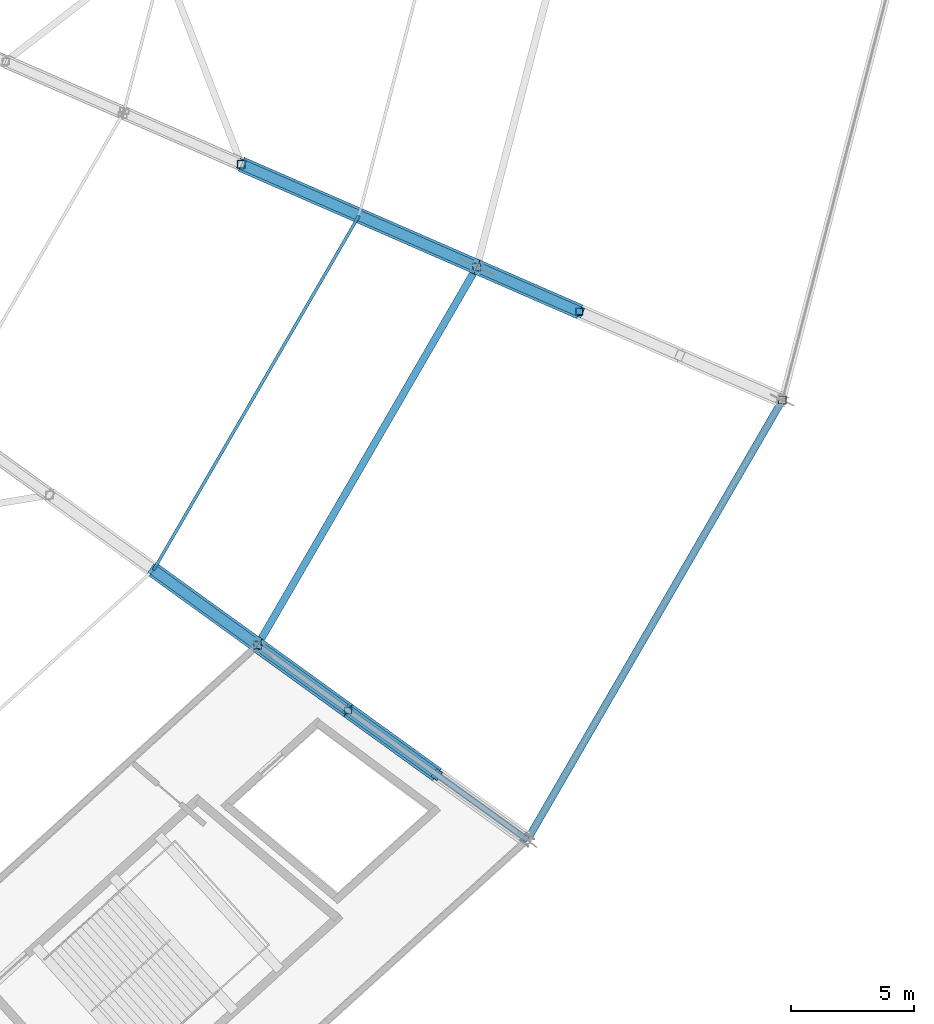
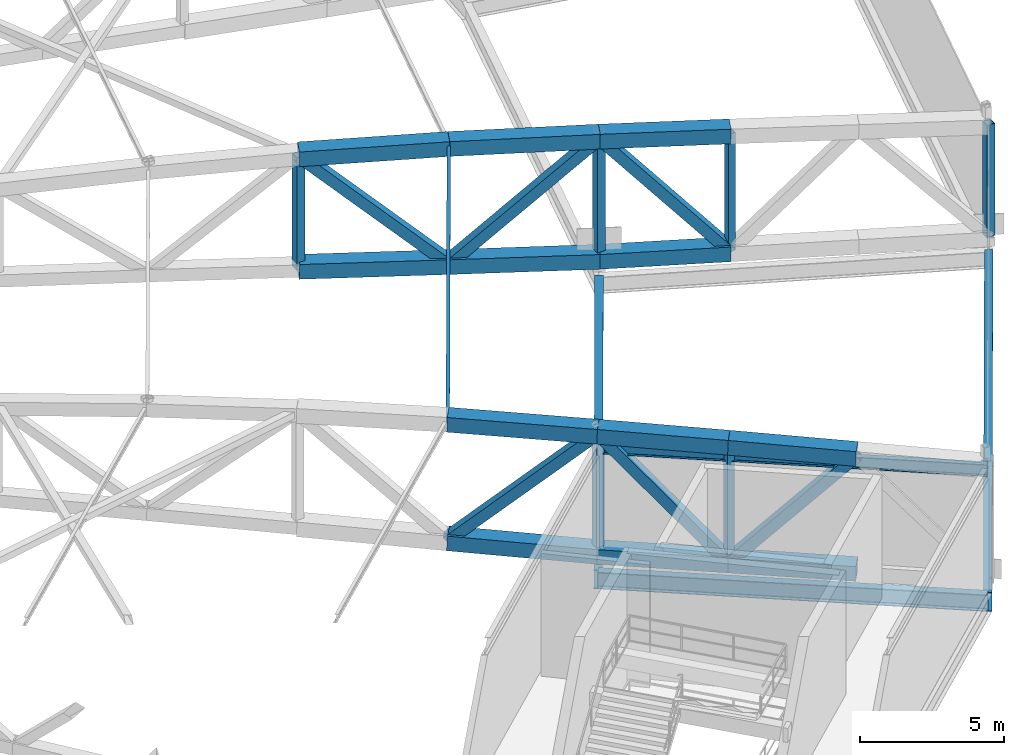
# One storey, part 53 of 162: 25 members, 4 beams.
"""IFC4 building model written with IfcOpenShell, lengths in metres."""

import ifcopenshell
import ifcopenshell.guid

model = None  # the IFC model being written
_history = None  # IfcOwnerHistory: only IFC2X3 demands one
_inside = {}  # id of a spatial element -> (the spatial element, [elements in it])
_under = {}  # id of a project, library or spatial element -> (it, [spatial elements below it])
_declared = {}  # id of a project -> (the project, [libraries it declares])
_typed = {}  # id of a type object -> (the type object, [elements of that type])
_made_of = {}  # id of a material, layer set ... -> (it, [elements and type objects made of it])


def new_model(schema):
    """Start an empty IFC model of exactly this schema.

    Asked for "IFC4X3", IfcOpenShell would pick the latest addendum, in which some entities
    have other attributes; the version numbers below select the first issue.
    IFC2X3 requires an IfcOwnerHistory on every rooted entity: one is made here for all.
    """
    global model, _history
    if schema == "IFC4X3":
        model = ifcopenshell.file(schema_version=(4, 3, 0, 0))
    else:
        model = ifcopenshell.file(schema=schema)
    _inside.clear()
    _under.clear()
    _declared.clear()
    _typed.clear()
    _made_of.clear()
    _history = None
    if model.schema == "IFC2X3":
        org = make("IfcOrganization", Name="unknown")
        user = make(
            "IfcPersonAndOrganization",
            ThePerson=make("IfcPerson", FamilyName="unknown"),
            TheOrganization=org,
        )
        app = make(
            "IfcApplication",
            ApplicationDeveloper=org,
            Version="unknown",
            ApplicationFullName="unknown",
            ApplicationIdentifier="unknown",
        )
        _history = make(
            "IfcOwnerHistory",
            OwningUser=user,
            OwningApplication=app,
            ChangeAction="ADDED",
            CreationDate=0,
        )
    return model


def make(cls, **values):
    """One entity of the class cls with the attributes given. An attribute that is None is left unset."""
    return model.create_entity(
        cls, **{name: value for name, value in values.items() if value is not None}
    )


def rooted(cls, **values):
    """An entity with a GlobalId (a new one), such as an element, a storey or a relation."""
    return make(cls, GlobalId=ifcopenshell.guid.new(), OwnerHistory=_history, **values)


def si_unit(unit_type, name, prefix=None):
    """IfcSIUnit, for example si_unit("LENGTHUNIT", "METRE", prefix="MILLI")."""
    return make("IfcSIUnit", UnitType=unit_type, Prefix=prefix, Name=name)


def assignment(units):
    """IfcUnitAssignment: the units of a project."""
    return None if units is None else make("IfcUnitAssignment", Units=units)


def point(xyz):
    """IfcCartesianPoint."""
    return None if xyz is None else make("IfcCartesianPoint", Coordinates=xyz)


def direction(xyz):
    """IfcDirection."""
    return None if xyz is None else make("IfcDirection", DirectionRatios=xyz)


def frame(location, z_axis=None, x_axis=None):
    """IfcAxis2Placement3D, a coordinate frame: its origin and axes. An axis left out is left unset."""
    return make(
        "IfcAxis2Placement3D",
        Location=point(location),
        Axis=direction(z_axis),
        RefDirection=direction(x_axis),
    )


def frame_2d(location, x_axis=None):
    """IfcAxis2Placement2D, a coordinate frame in the plane: its origin and x axis."""
    return make(
        "IfcAxis2Placement2D", Location=point(location), RefDirection=direction(x_axis)
    )


def origin():
    """The frame at (0, 0, 0) with its axes left unset."""
    return frame((0.0, 0.0, 0.0))


def origin_2d():
    """The frame at (0, 0) in the plane with its x axis left unset."""
    return frame_2d((0.0, 0.0))


def place(relative_to, where):
    """IfcLocalPlacement: puts the frame where relative to a parent placement (None: the world)."""
    return make(
        "IfcLocalPlacement", PlacementRelTo=relative_to, RelativePlacement=where
    )


def context(
    kind, dimensions, precision=None, world=None, true_north=None, identifier=None
):
    """IfcGeometricRepresentationContext, for example the 3D "Model" context."""
    return make(
        "IfcGeometricRepresentationContext",
        ContextIdentifier=identifier,
        ContextType=kind,
        CoordinateSpaceDimension=dimensions,
        Precision=precision,
        WorldCoordinateSystem=world,
        TrueNorth=true_north,
    )


def subcontext(parent, identifier, kind, view, scale=None):
    """IfcGeometricRepresentationSubContext, for example "Body" below "Model"."""
    return make(
        "IfcGeometricRepresentationSubContext",
        ContextIdentifier=identifier,
        ContextType=kind,
        ParentContext=parent,
        TargetScale=scale,
        TargetView=view,
    )


def project(units=None, contexts=None):
    """IfcProject with its units and contexts."""
    return rooted(
        "IfcProject",
        Name="project",
        RepresentationContexts=contexts,
        UnitsInContext=assignment(units),
    )


def spatial(cls, under=None, at=None, **own):
    """A site, building, storey or space (cls), placed at a placement, below another one or the project."""
    s = rooted(cls, ObjectPlacement=at, **own)
    if under is not None:
        _under.setdefault(under.id(), (under, []))[1].append(s)
    return s


def profile(cls, at=None, kind="AREA", **sizes):
    """A parametric profile (cls). Its sizes go by their IFC names, for example OverallWidth=200.0."""
    return make(cls, ProfileType=kind, Position=at, **sizes)


def hollow_rectangle(**sizes):
    """IfcRectangleHollowProfileDef."""
    return profile("IfcRectangleHollowProfileDef", **sizes)


def i_section(**sizes):
    """IfcIShapeProfileDef."""
    return profile("IfcIShapeProfileDef", **sizes)


def extrude(swept, where, along, depth):
    """IfcExtrudedAreaSolid: the profile swept, set in the frame where, extruded along a direction by depth."""
    return make(
        "IfcExtrudedAreaSolid",
        SweptArea=swept,
        Position=where,
        ExtrudedDirection=direction(along),
        Depth=depth,
    )


def shape(context_of_items, identifier, shape_type, items):
    """IfcShapeRepresentation: the items that make up one representation, for example the "Body"."""
    return make(
        "IfcShapeRepresentation",
        ContextOfItems=context_of_items,
        RepresentationIdentifier=identifier,
        RepresentationType=shape_type,
        Items=items,
    )


def material(Name=None, Category=None):
    """IfcMaterial."""
    return make("IfcMaterial", Name=Name, Category=Category)


def material_profile(
    of_material, cross_section, Name=None, Category=None, Priority=None
):
    """IfcMaterialProfile: a cross section and its material."""
    return make(
        "IfcMaterialProfile",
        Name=Name,
        Material=of_material,
        Profile=cross_section,
        Priority=Priority,
        Category=Category,
    )


def profile_set(profiles, Name=None, composite=None):
    """IfcMaterialProfileSet."""
    return make(
        "IfcMaterialProfileSet",
        Name=Name,
        MaterialProfiles=profiles,
        CompositeProfile=composite,
    )


def made_of(thing, what):
    """Note that an element or type object is made of a material, layer set ...; save() writes the relation."""
    if what is not None:
        _made_of.setdefault(what.id(), (what, []))[1].append(thing)
    return thing


def type_object(cls, material=None, **own):
    """A type object (cls), such as IfcWallType, which elements share."""
    return made_of(rooted(cls, **own), material)


def element(
    cls,
    number,
    at=None,
    inside=None,
    cuts=None,
    type_object=None,
    material=None,
    context=None,
    identifier="Body",
    shape_type=None,
    held_by="IfcProductDefinitionShape",
    body=None,
    shapes=None,
    **own,
):
    """One element of the class cls, such as IfcWall. Its Tag is "e" and its number.

    at: its placement. inside: the storey or other place that contains it. cuts: it is an
    opening in that element (IfcRelVoidsElement). A single representation is given by context,
    identifier, shape_type and body (its items); several are given by shapes. held_by: the class
    of the entity that holds the representations. save() writes the other relations.
    """
    e = rooted(cls, Tag="e%d" % number, ObjectPlacement=at, **own)
    if body is not None:
        shapes = [shape(context, identifier, shape_type, body)]
    if shapes is not None:
        e.Representation = make(held_by, Representations=shapes)
    if inside is not None:
        _inside.setdefault(inside.id(), (inside, []))[1].append(e)
    if cuts is not None:
        rooted(
            "IfcRelVoidsElement", RelatingBuildingElement=cuts, RelatedOpeningElement=e
        )
    if type_object is not None:
        _typed.setdefault(type_object.id(), (type_object, []))[1].append(e)
    return made_of(e, material)


def aggregate(whole, parts):
    """IfcRelAggregates: a whole, such as a stair, and the parts it consists of."""
    return rooted("IfcRelAggregates", RelatingObject=whole, RelatedObjects=parts)


def save(model, path):
    """Write the relations noted so far, then the file.

    IfcRelAggregates (storeys below a building ...), IfcRelContainedInSpatialStructure (elements
    in a storey), IfcRelDefinesByType, IfcRelAssociatesMaterial and IfcRelDeclares: one each for
    every whole, place, type object, material and project.
    """
    for whole, parts in _under.values():
        aggregate(whole, parts)
    for where, things in _inside.values():
        rooted(
            "IfcRelContainedInSpatialStructure",
            RelatedElements=things,
            RelatingStructure=where,
        )
    for kind, things in _typed.values():
        rooted("IfcRelDefinesByType", RelatedObjects=things, RelatingType=kind)
    for what, things in _made_of.values():
        rooted("IfcRelAssociatesMaterial", RelatedObjects=things, RelatingMaterial=what)
    for by, libraries in _declared.values():
        rooted("IfcRelDeclares", RelatingContext=by, RelatedDefinitions=libraries)
    model.write(path)


model = new_model("IFC4")

# Units and contexts
model_context = context("Model", 3, precision=1e-05, world=origin(), true_north=direction((0.0, 1.0)))
body_context = subcontext(model_context, "Body", "Model", "MODEL_VIEW")
ifc_project = project(units=[si_unit("LENGTHUNIT", "METRE"), si_unit("AREAUNIT", "SQUARE_METRE"), si_unit("VOLUMEUNIT", "CUBIC_METRE"), si_unit("PLANEANGLEUNIT", "RADIAN"), si_unit("MASSUNIT", "GRAM", prefix="KILO")], contexts=[model_context])

# Site, building, storey
site_placement = place(None, origin())
site = spatial("IfcSite", under=ifc_project, at=site_placement, CompositionType="ELEMENT")
building_placement = place(site_placement, origin())
building = spatial("IfcBuilding", under=site, at=building_placement, Name="Kazemori Nagisa Stadium", CompositionType="ELEMENT")
storey_placement = place(building_placement, frame((0.0, 0.0, 36.719970703125)))
storey = spatial("IfcBuildingStorey", under=building, at=storey_placement, Name="RF", CompositionType="ELEMENT", Elevation=36.719970703125)

# Beams
ifc_material_1 = material(Name="Steel SN490B", Category="steel")
ifc_material_profile_1 = material_profile(ifc_material_1, i_section(OverallWidth=0.199951171875, OverallDepth=0.5, WebThickness=0.010009765625, FlangeThickness=0.01611328125, FilletRadius=0.012939453125, at=origin_2d()), Name="H-500x200x10x16")
ifc_profile_set_1 = profile_set([ifc_material_profile_1], Name="Steel SN490B")
beam_type_1 = type_object("IfcBeamType", Name="Beam_BG-H500", PredefinedType="BEAM", material=ifc_profile_set_1)
beam_1_placement = place(storey_placement, frame((190.506103515625, 53.265869140625, 4.93994140625), z_axis=(0.810787509935, -0.585340596349, 0.0), x_axis=(0.585340596349, 0.810787509935, 0.0)))
element("IfcBeam", 1, at=beam_1_placement, inside=storey, type_object=beam_type_1, Name="Headhouse roof beam BG-H500 B25-radR", PredefinedType="BEAM", context=body_context, shape_type="SweptSolid", body=[
    extrude(i_section(OverallWidth=0.199951171875, OverallDepth=0.5, WebThickness=0.010009765625, FlangeThickness=0.01611328125, FilletRadius=0.012939453125, at=origin_2d()), origin(), (0.0, 0.0, 1.0), 13.5537109375),
])
ifc_material_profile_2 = material_profile(ifc_material_1, i_section(OverallWidth=0.300048828125, OverallDepth=0.699951171875, WebThickness=0.012939453125, FlangeThickness=0.02392578125, FilletRadius=0.01806640625, at=origin_2d()), Name="H-700x300x13x24")
ifc_profile_set_2 = profile_set([ifc_material_profile_2], Name="Steel SN490B")
beam_type_2 = type_object("IfcBeamType", Name="Beam_BG-H700", PredefinedType="BEAM", material=ifc_profile_set_2)
beam_2_placement = place(storey_placement, frame((190.506103515625, 53.265869140625, -0.6298828125), z_axis=(0.810787509935, -0.585340596349, 0.0), x_axis=(0.585340596349, 0.810787509935, 0.0)))
element("IfcBeam", 2, at=beam_2_placement, inside=storey, type_object=beam_type_2, Name="Radial girder BG-H700 RF R2-R3-26", PredefinedType="BEAM", context=body_context, shape_type="SweptSolid", body=[
    extrude(i_section(OverallWidth=0.300048828125, OverallDepth=0.699951171875, WebThickness=0.012939453125, FlangeThickness=0.02392578125, FilletRadius=0.01806640625, at=origin_2d()), origin(), (0.0, 0.0, 1.0), 13.5537109375),
])
ifc_material_profile_3 = material_profile(ifc_material_1, i_section(OverallWidth=0.300048828125, OverallDepth=0.800048828125, WebThickness=0.013916015625, FlangeThickness=0.02587890625, FilletRadius=0.01806640625, at=origin_2d()), Name="H-800x300x14x26")
ifc_profile_set_3 = profile_set([ifc_material_profile_3], Name="Steel SN490B")
beam_type_3 = type_object("IfcBeamType", Name="Beam_BG-H800", PredefinedType="BEAM", material=ifc_profile_set_3)
beam_3_placement = place(storey_placement, frame((190.506103515625, 53.265869140625, -0.679931640625), z_axis=(0.501606704589, 0.865095783085, 0.0), x_axis=(-0.865095783085, 0.501606704589, 0.0)))
element("IfcBeam", 3, at=beam_3_placement, inside=storey, type_object=beam_type_3, Name="Ring girder BG-H800 RF R2-26", PredefinedType="BEAM", context=body_context, shape_type="SweptSolid", body=[
    extrude(i_section(OverallWidth=0.300048828125, OverallDepth=0.800048828125, WebThickness=0.013916015625, FlangeThickness=0.02587890625, FilletRadius=0.01806640625, at=origin_2d()), origin(), (0.0, 0.0, 1.0), 17.8125),
])
beam_4_placement = place(storey_placement, frame((201.495361328125, 45.332275390625, -0.679931640625), z_axis=(0.50161277459, 0.8650922635, 0.0), x_axis=(-0.8650922635, 0.50161277459, 0.0)))
element("IfcBeam", 4, at=beam_4_placement, inside=storey, type_object=beam_type_3, Name="Roof compression ring beam BG-H800 R3-26", PredefinedType="BEAM", context=body_context, shape_type="SweptSolid", body=[
    extrude(i_section(OverallWidth=0.300048828125, OverallDepth=0.800048828125, WebThickness=0.013916015625, FlangeThickness=0.02587890625, FilletRadius=0.01806640625, at=origin_2d()), origin(), (0.0, 0.0, 1.0), 20.71240234375),
])

# Members
ifc_material_2 = material(Name="Steel STKR490", Category="steel")
ifc_material_profile_4 = material_profile(ifc_material_2, hollow_rectangle(XDim=0.419921875, YDim=0.419921875, WallThickness=0.01611328125, at=origin_2d()), Name="SHS-420x420x16")
ifc_profile_set_4 = profile_set([ifc_material_profile_4], Name="Steel STKR490")
member_type_1 = type_object("IfcMemberType", Name="Member_TB-SHS420", PredefinedType="BRACE", material=ifc_profile_set_4)
member_1_placement = place(storey_placement, frame((197.80615234375, 47.995849609375, 5.260009765625), z_axis=(-0.550225469155, 0.397211449234, -0.734489617142), x_axis=(-0.585322409097, -0.810800639744, 0.0)))
element("IfcMember", 5, at=member_1_placement, inside=storey, type_object=member_type_1, Name="Roof space truss diagonal RT-26-2", PredefinedType="BRACE", context=body_context, shape_type="SweptSolid", body=[
    extrude(hollow_rectangle(XDim=0.419921875, YDim=0.419921875, WallThickness=0.01611328125, at=origin_2d()), origin(), (0.0, 0.0, 1.0), 6.5625),
])
member_2_placement = place(storey_placement, frame((194.1953125, 50.6025390625, 0.43994140625), z_axis=(-0.538589651262, 0.388821024791, 0.747488727831), x_axis=(-0.585331860569, -0.810793816579, 0.0)))
element("IfcMember", 6, at=member_2_placement, inside=storey, type_object=member_type_1, Name="Roof space truss diagonal RT-26-3", PredefinedType="BRACE", context=body_context, shape_type="SweptSolid", body=[
    extrude(hollow_rectangle(XDim=0.419921875, YDim=0.419921875, WallThickness=0.01611328125, at=origin_2d()), origin(), (0.0, 0.0, 1.0), 6.849853515625),
])
member_3_placement = place(storey_placement, frame((190.506103515625, 53.265869140625, 5.56005859375), z_axis=(-0.592818527413, 0.427968403559, -0.682209087531), x_axis=(-0.585330267791, -0.810794966442, 0.0)))
element("IfcMember", 7, at=member_3_placement, inside=storey, type_object=member_type_1, Name="Roof space truss diagonal RT-26-4", PredefinedType="BRACE", context=body_context, shape_type="SweptSolid", body=[
    extrude(hollow_rectangle(XDim=0.419921875, YDim=0.419921875, WallThickness=0.01611328125, at=origin_2d()), origin(), (0.0, 0.0, 1.0), 7.150146484375),
])
member_4_placement = place(storey_placement, frame((203.61865234375, 66.854248046875, 0.43994140625), z_axis=(-0.609480709144, 0.265668338564, 0.746962916794), x_axis=(-0.39958195767, -0.916697474145, 0.0)))
element("IfcMember", 8, at=member_4_placement, inside=storey, type_object=member_type_1, Name="Roof space truss diagonal RT-27-3", PredefinedType="BRACE", context=body_context, shape_type="SweptSolid", body=[
    extrude(hollow_rectangle(XDim=0.419921875, YDim=0.419921875, WallThickness=0.01611328125, at=origin_2d()), origin(), (0.0, 0.0, 1.0), 6.8544921875),
])
member_5_placement = place(storey_placement, frame((199.44091796875, 68.67529296875, 5.56005859375), z_axis=(-0.669922767275, 0.292075285534, -0.682565391348), x_axis=(-0.399651729643, -0.916667057875, 0.0)))
element("IfcMember", 9, at=member_5_placement, inside=storey, type_object=member_type_1, Name="Roof space truss diagonal RT-27-4", PredefinedType="BRACE", context=body_context, shape_type="SweptSolid", body=[
    extrude(hollow_rectangle(XDim=0.419921875, YDim=0.419921875, WallThickness=0.01611328125, at=origin_2d()), origin(), (0.0, 0.0, 1.0), 7.164306640625),
])
member_6_placement = place(storey_placement, frame((194.641357421875, 70.767822265625, 0.669921875), z_axis=(-0.665234553158, 0.290016549091, 0.688006824485), x_axis=(-0.399634648115, -0.916674504951, 0.0)))
element("IfcMember", 10, at=member_6_placement, inside=storey, type_object=member_type_1, Name="Roof space truss diagonal RT-27-5", PredefinedType="BRACE", context=body_context, shape_type="SweptSolid", body=[
    extrude(hollow_rectangle(XDim=0.419921875, YDim=0.419921875, WallThickness=0.01611328125, at=origin_2d()), origin(), (0.0, 0.0, 1.0), 7.215087890625),
])
ifc_material_profile_5 = material_profile(ifc_material_2, hollow_rectangle(XDim=0.6201171875, YDim=0.6201171875, WallThickness=0.02197265625, at=origin_2d()), Name="SHS-620x620x22")
ifc_profile_set_5 = profile_set([ifc_material_profile_5], Name="Steel STKR490")
member_type_2 = type_object("IfcMemberType", Name="Member_TC-SHS620", PredefinedType="CHORD", material=ifc_profile_set_5)
member_7_placement = place(storey_placement, frame((197.80615234375, 47.995849609375, 5.260009765625), z_axis=(-0.810278437443, 0.584945427761, 0.035884542023), x_axis=(-0.585322409097, -0.810800639744, 0.0)))
element("IfcMember", 11, at=member_7_placement, inside=storey, type_object=member_type_2, Name="Roof space truss top chord RT-26-2", PredefinedType="CHORD", context=body_context, shape_type="SweptSolid", body=[
    extrude(hollow_rectangle(XDim=0.6201171875, YDim=0.6201171875, WallThickness=0.02197265625, at=origin_2d()), origin(), (0.0, 0.0, 1.0), 4.456298828125),
])
member_8_placement = place(storey_placement, frame((197.80615234375, 47.995849609375, 0.400146484375), z_axis=(-0.810768271055, 0.585299041924, 0.008935444772), x_axis=(-0.585322409097, -0.810800639744, 0.0)))
element("IfcMember", 12, at=member_8_placement, inside=storey, type_object=member_type_2, Name="Roof space truss bottom chord RT-26-2", PredefinedType="CHORD", context=body_context, shape_type="SweptSolid", body=[
    extrude(hollow_rectangle(XDim=0.6201171875, YDim=0.6201171875, WallThickness=0.02197265625, at=origin_2d()), origin(), (0.0, 0.0, 1.0), 4.45361328125),
])
member_9_placement = place(storey_placement, frame((194.1953125, 50.6025390625, 5.419921875), z_axis=(-0.810409552459, 0.585054450915, 0.030783871558), x_axis=(-0.585331860569, -0.810793816579, 0.0)))
element("IfcMember", 13, at=member_9_placement, inside=storey, type_object=member_type_2, Name="Roof space truss top chord RT-26-3", PredefinedType="CHORD", context=body_context, shape_type="SweptSolid", body=[
    extrude(hollow_rectangle(XDim=0.6201171875, YDim=0.6201171875, WallThickness=0.02197265625, at=origin_2d()), origin(), (0.0, 0.0, 1.0), 4.55224609375),
])
member_10_placement = place(storey_placement, frame((194.1953125, 50.6025390625, 0.43994140625), z_axis=(-0.810762427588, 0.58530920009, 0.008799221635), x_axis=(-0.585331860569, -0.810793816579, 0.0)))
element("IfcMember", 14, at=member_10_placement, inside=storey, type_object=member_type_2, Name="Roof space truss bottom chord RT-26-3", PredefinedType="CHORD", context=body_context, shape_type="SweptSolid", body=[
    extrude(hollow_rectangle(XDim=0.6201171875, YDim=0.6201171875, WallThickness=0.02197265625, at=origin_2d()), origin(), (0.0, 0.0, 1.0), 4.55029296875),
])
member_11_placement = place(storey_placement, frame((190.506103515625, 53.265869140625, 5.56005859375), z_axis=(-0.810524734469, 0.585135181537, 0.025816160475), x_axis=(-0.585330267791, -0.810794966442, 0.0)))
element("IfcMember", 15, at=member_11_placement, inside=storey, type_object=member_type_2, Name="Roof space truss top chord RT-26-4", PredefinedType="CHORD", context=body_context, shape_type="SweptSolid", body=[
    extrude(hollow_rectangle(XDim=0.6201171875, YDim=0.6201171875, WallThickness=0.02197265625, at=origin_2d()), origin(), (0.0, 0.0, 1.0), 5.229736328125),
])
member_12_placement = place(storey_placement, frame((190.506103515625, 53.265869140625, 0.47998046875), z_axis=(-0.81018951734, 0.584893181105, 0.038638228335), x_axis=(-0.585330267791, -0.810794966442, 0.0)))
element("IfcMember", 16, at=member_12_placement, inside=storey, type_object=member_type_2, Name="Roof space truss bottom chord RT-26-4", PredefinedType="CHORD", context=body_context, shape_type="SweptSolid", body=[
    extrude(hollow_rectangle(XDim=0.6201171875, YDim=0.6201171875, WallThickness=0.02197265625, at=origin_2d()), origin(), (0.0, 0.0, 1.0), 5.23193359375),
])
member_13_placement = place(storey_placement, frame((203.61865234375, 66.854248046875, 5.419921875), z_axis=(-0.916264399752, 0.399393183599, 0.030734909155), x_axis=(-0.39958195767, -0.916697474145, 0.0)))
element("IfcMember", 17, at=member_13_placement, inside=storey, type_object=member_type_2, Name="Roof space truss top chord RT-27-3", PredefinedType="CHORD", context=body_context, shape_type="SweptSolid", body=[
    extrude(hollow_rectangle(XDim=0.6201171875, YDim=0.6201171875, WallThickness=0.02197265625, at=origin_2d()), origin(), (0.0, 0.0, 1.0), 4.5595703125),
])
member_14_placement = place(storey_placement, frame((203.61865234375, 66.854248046875, 0.43994140625), z_axis=(-0.916662098113, 0.399566537507, 0.008785214124), x_axis=(-0.39958195767, -0.916697474145, 0.0)))
element("IfcMember", 18, at=member_14_placement, inside=storey, type_object=member_type_2, Name="Roof space truss bottom chord RT-27-3", PredefinedType="CHORD", context=body_context, shape_type="SweptSolid", body=[
    extrude(hollow_rectangle(XDim=0.6201171875, YDim=0.6201171875, WallThickness=0.02197265625, at=origin_2d()), origin(), (0.0, 0.0, 1.0), 4.5576171875),
])
member_15_placement = place(storey_placement, frame((199.44091796875, 68.67529296875, 5.56005859375), z_axis=(-0.916500406001, 0.399579072172, 0.019067534771), x_axis=(-0.399651729643, -0.916667057875, 0.0)))
element("IfcMember", 19, at=member_15_placement, inside=storey, type_object=member_type_2, Name="Roof space truss top chord RT-27-4", PredefinedType="CHORD", context=body_context, shape_type="SweptSolid", body=[
    extrude(hollow_rectangle(XDim=0.6201171875, YDim=0.6201171875, WallThickness=0.02197265625, at=origin_2d()), origin(), (0.0, 0.0, 1.0), 5.23681640625),
])
member_16_placement = place(storey_placement, frame((199.44091796875, 68.67529296875, 0.47998046875), z_axis=(-0.916064480485, 0.399389015832, 0.036253022321), x_axis=(-0.399651729643, -0.916667057875, 0.0)))
element("IfcMember", 20, at=member_16_placement, inside=storey, type_object=member_type_2, Name="Roof space truss bottom chord RT-27-4", PredefinedType="CHORD", context=body_context, shape_type="SweptSolid", body=[
    extrude(hollow_rectangle(XDim=0.6201171875, YDim=0.6201171875, WallThickness=0.02197265625, at=origin_2d()), origin(), (0.0, 0.0, 1.0), 5.2392578125),
])
member_17_placement = place(storey_placement, frame((194.641357421875, 70.767822265625, 5.659912109375), z_axis=(-0.916663309226, 0.399629767211, -0.004942335238), x_axis=(-0.399634648115, -0.916674504951, 0.0)))
element("IfcMember", 21, at=member_17_placement, inside=storey, type_object=member_type_2, Name="Roof space truss top chord RT-27-5", PredefinedType="CHORD", context=body_context, shape_type="SweptSolid", body=[
    extrude(hollow_rectangle(XDim=0.6201171875, YDim=0.6201171875, WallThickness=0.02197265625, at=origin_2d()), origin(), (0.0, 0.0, 1.0), 5.236083984375),
])
member_18_placement = place(storey_placement, frame((194.641357421875, 70.767822265625, 0.669921875), z_axis=(-0.915936719343, 0.39931300211, 0.040112996712), x_axis=(-0.399634648115, -0.916674504951, 0.0)))
element("IfcMember", 22, at=member_18_placement, inside=storey, type_object=member_type_2, Name="Roof space truss bottom chord RT-27-5", PredefinedType="CHORD", context=body_context, shape_type="SweptSolid", body=[
    extrude(hollow_rectangle(XDim=0.6201171875, YDim=0.6201171875, WallThickness=0.02197265625, at=origin_2d()), origin(), (0.0, 0.0, 1.0), 5.240234375),
])
ifc_material_profile_6 = material_profile(ifc_material_1, i_section(OverallWidth=0.125, OverallDepth=0.25, WebThickness=0.006103515625, FlangeThickness=0.009033203125, FilletRadius=0.008056640625, at=origin_2d()), Name="H-250x125x6x9")
ifc_profile_set_6 = profile_set([ifc_material_profile_6], Name="Steel SN490B")
member_type_3 = type_object("IfcMemberType", Name="Member_TP-H250", PredefinedType="PURLIN", material=ifc_profile_set_6)
member_19_placement = place(storey_placement, frame((186.267333984375, 56.325927734375, 5.695068359375), z_axis=(0.501614984179, 0.86508841907, -0.002105905473), x_axis=(-0.86509033734, 0.501616096473, 0.0)))
element("IfcMember", 23, at=member_19_placement, inside=storey, type_object=member_type_3, Name="Roof purlin TP-H250 B26-P4", PredefinedType="PURLIN", context=body_context, shape_type="SweptSolid", body=[
    extrude(i_section(OverallWidth=0.125, OverallDepth=0.25, WebThickness=0.006103515625, FlangeThickness=0.009033203125, FilletRadius=0.008056640625, at=origin_2d()), origin(), (0.0, 0.0, 1.0), 16.694091796875),
])
ifc_material_profile_7 = material_profile(ifc_material_2, hollow_rectangle(XDim=0.280029296875, YDim=0.280029296875, WallThickness=0.010009765625, at=origin_2d()), Name="SHS-280x280x10")
ifc_profile_set_7 = profile_set([ifc_material_profile_7], Name="Steel STKR490")
member_type_4 = type_object("IfcMemberType", Name="Member_TS-SHS280", PredefinedType="STRUT", material=ifc_profile_set_7)
for number, where, z_axis, x_axis, name in (
    (24, (194.1953125, 50.6025390625, 0.43994140625), (0.0, 0.0, 1.0), (1.0, 0.0, 0.0), "Roof space truss strut RT-26-3"),
    (25, (203.61865234375, 66.854248046875, 0.43994140625), (0.0, 0.0, 1.0), (1.0, 0.0, 0.0), "Roof space truss strut RT-27-3"),
):
    element("IfcMember", number, at=place(storey_placement, frame(where, z_axis=z_axis, x_axis=x_axis)), inside=storey, type_object=member_type_4, Name=name, PredefinedType="STRUT", context=body_context, shape_type="SweptSolid", body=[
        extrude(hollow_rectangle(XDim=0.280029296875, YDim=0.280029296875, WallThickness=0.010009765625, at=origin_2d()), origin(), (0.0, 0.0, 1.0), 4.97998046875),
    ])
ifc_material_profile_8 = material_profile(ifc_material_2, hollow_rectangle(XDim=0.320068359375, YDim=0.320068359375, WallThickness=0.011962890625, at=origin_2d()), Name="SHS-320x320x12")
ifc_profile_set_8 = profile_set([ifc_material_profile_8], Name="Steel STKR490")
member_type_5 = type_object("IfcMemberType", Name="Member_TS-SHS320", PredefinedType="STRUT", material=ifc_profile_set_8)
member_20_placement = place(storey_placement, frame((190.506103515625, 53.265869140625, 0.47998046875), z_axis=(0.0, 0.0, 1.0), x_axis=(1.0, 0.0, 0.0)))
element("IfcMember", 26, at=member_20_placement, inside=storey, type_object=member_type_5, Name="Roof space truss strut RT-26-4", PredefinedType="STRUT", context=body_context, shape_type="SweptSolid", body=[
    extrude(hollow_rectangle(XDim=0.320068359375, YDim=0.320068359375, WallThickness=0.011962890625, at=origin_2d()), origin(), (0.0, 0.0, 1.0), 5.080078125),
])
member_21_placement = place(storey_placement, frame((211.885009765625, 63.25048828125, 0.360107421875), z_axis=(0.0, 0.0, 1.0), x_axis=(1.0, 0.0, 0.0)))
element("IfcMember", 27, at=member_21_placement, inside=storey, type_object=member_type_5, Name="Roof space truss strut RT-27-1", PredefinedType="STRUT", context=body_context, shape_type="SweptSolid", body=[
    extrude(hollow_rectangle(XDim=0.320068359375, YDim=0.320068359375, WallThickness=0.011962890625, at=origin_2d()), origin(), (0.0, 0.0, 1.0), 4.739990234375),
])
member_22_placement = place(storey_placement, frame((199.44091796875, 68.67529296875, 0.47998046875), z_axis=(0.0, 0.0, 1.0), x_axis=(1.0, 0.0, 0.0)))
element("IfcMember", 28, at=member_22_placement, inside=storey, type_object=member_type_5, Name="Roof space truss strut RT-27-4", PredefinedType="STRUT", context=body_context, shape_type="SweptSolid", body=[
    extrude(hollow_rectangle(XDim=0.320068359375, YDim=0.320068359375, WallThickness=0.011962890625, at=origin_2d()), origin(), (0.0, 0.0, 1.0), 5.080078125),
])
member_23_placement = place(storey_placement, frame((189.841552734375, 72.8603515625, 0.880126953125), z_axis=(0.0, 0.0, 1.0), x_axis=(1.0, 0.0, 0.0)))
element("IfcMember", 29, at=member_23_placement, inside=storey, type_object=member_type_5, Name="Roof space truss strut RT-27-6", PredefinedType="STRUT", context=body_context, shape_type="SweptSolid", body=[
    extrude(hollow_rectangle(XDim=0.320068359375, YDim=0.320068359375, WallThickness=0.011962890625, at=origin_2d()), origin(), (0.0, 0.0, 1.0), 4.75390625),
])

save(model, "model.ifc")
